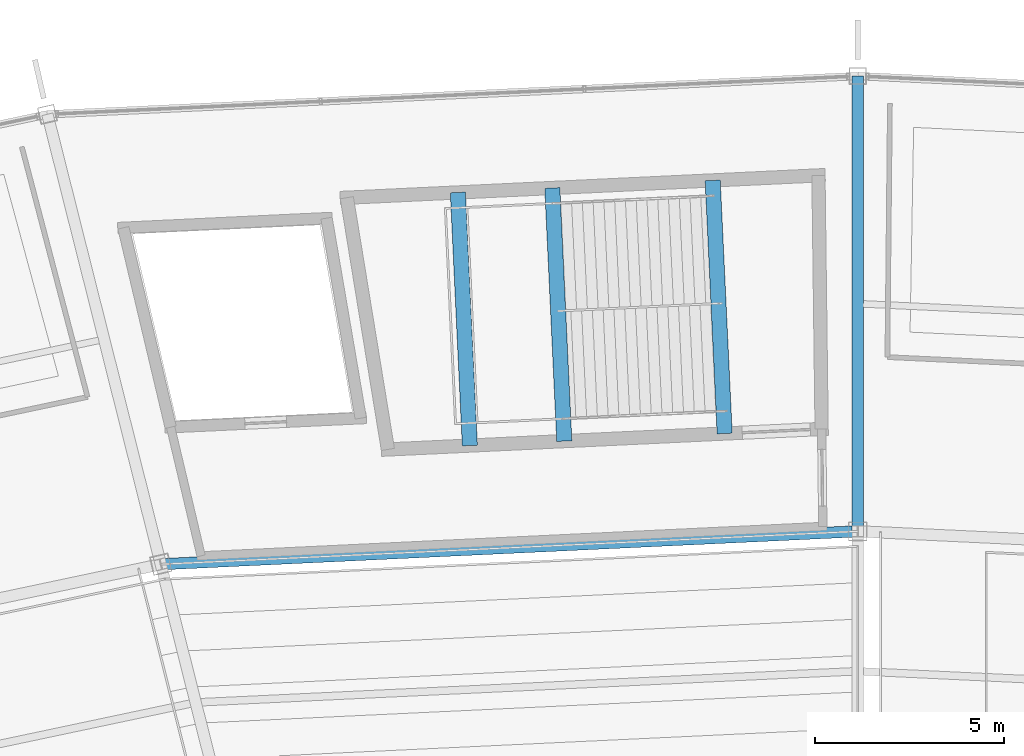
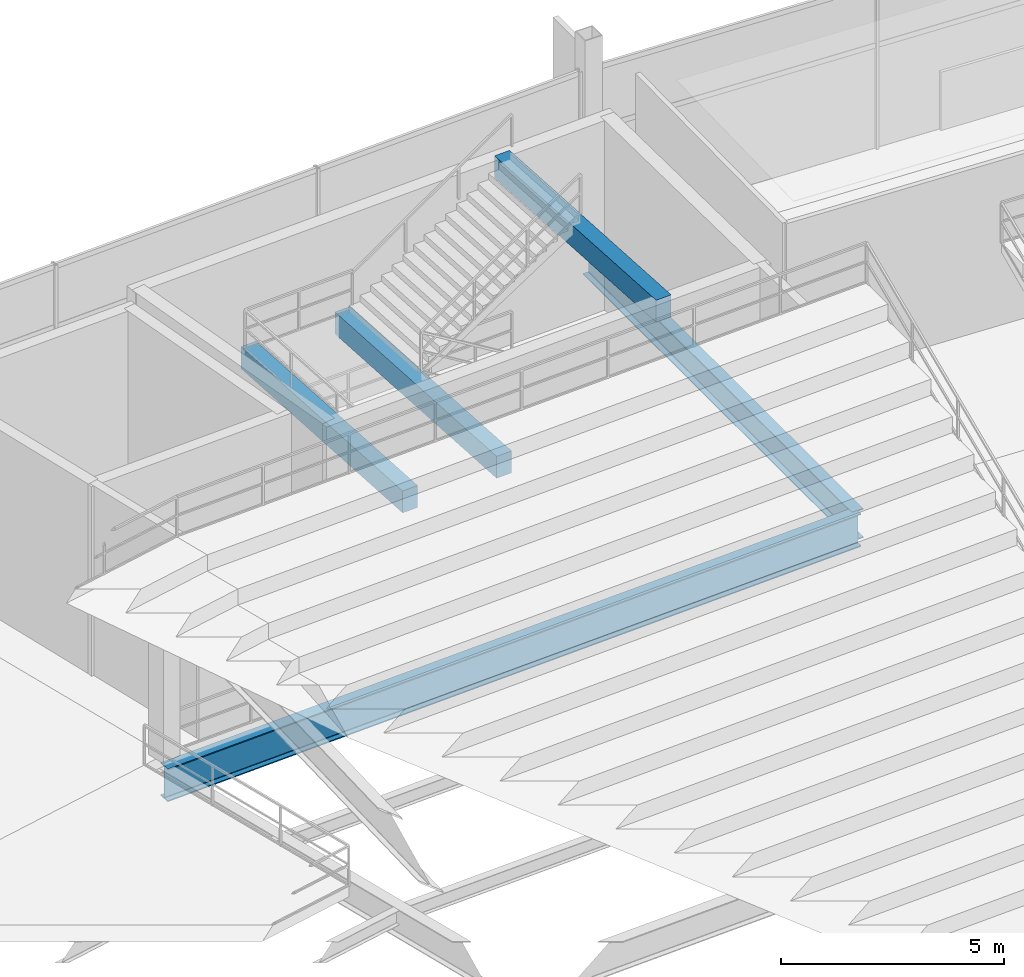
# One storey, part 97 of 186: 5 beams.
"""IFC4 building model written with IfcOpenShell, lengths in metres."""

from ifc_helpers import new_model, si_unit, direction, frame, origin, origin_2d, place, context, subcontext, project, spatial, rectangle, i_section, extrude, material, material_profile, profile_set, type_object, element, save


model = new_model("IFC4")

# Units and contexts
model_context = context("Model", 3, precision=1e-05, world=origin(), true_north=direction((0.0, 1.0)))
body_context = subcontext(model_context, "Body", "Model", "MODEL_VIEW")
ifc_project = project(units=[si_unit("LENGTHUNIT", "METRE"), si_unit("AREAUNIT", "SQUARE_METRE"), si_unit("VOLUMEUNIT", "CUBIC_METRE"), si_unit("PLANEANGLEUNIT", "RADIAN"), si_unit("MASSUNIT", "GRAM", prefix="KILO")], contexts=[model_context])

# Site, building, storey
site_placement = place(None, origin())
site = spatial("IfcSite", under=ifc_project, at=site_placement, CompositionType="ELEMENT")
building_placement = place(site_placement, origin())
building = spatial("IfcBuilding", under=site, at=building_placement, Name="Kazemori Nagisa Stadium", CompositionType="ELEMENT")
storey_placement = place(building_placement, frame((0.0, 0.0, 20.39990234375)))
storey = spatial("IfcBuildingStorey", under=building, at=storey_placement, Name="L04", CompositionType="ELEMENT", Elevation=20.39990234375)

# Beams
ifc_material_1 = material(Name="Steel SN490B", Category="steel")
ifc_material_profile_1 = material_profile(ifc_material_1, i_section(OverallWidth=0.300048828125, OverallDepth=0.800048828125, WebThickness=0.013916015625, FlangeThickness=0.02587890625, FilletRadius=0.01806640625, at=origin_2d()), Name="H-800x300x14x26")
ifc_profile_set_1 = profile_set([ifc_material_profile_1], Name="Steel SN490B")
beam_type_1 = type_object("IfcBeamType", Name="Beam_BG-H800", PredefinedType="BEAM", material=ifc_profile_set_1)
beam_1_placement = place(storey_placement, frame((123.0, 175.9599609375, -0.699951171875), z_axis=(0.0, 1.0, 0.0), x_axis=(-1.0, 0.0, 0.0)))
element("IfcBeam", 1, at=beam_1_placement, inside=storey, type_object=beam_type_1, Name="Radial girder BG-H800 L04 R2-R3-08", PredefinedType="BEAM", context=body_context, shape_type="SweptSolid", body=[
    extrude(i_section(OverallWidth=0.300048828125, OverallDepth=0.800048828125, WebThickness=0.013916015625, FlangeThickness=0.02587890625, FilletRadius=0.01806640625, at=origin_2d()), origin(), (0.0, 0.0, 1.0), 12.0400390625),
])
ifc_material_profile_2 = material_profile(ifc_material_1, i_section(OverallWidth=0.300048828125, OverallDepth=0.89990234375, WebThickness=0.01611328125, FlangeThickness=0.028076171875, FilletRadius=0.01806640625, at=origin_2d()), Name="H-900x300x16x28")
ifc_profile_set_2 = profile_set([ifc_material_profile_2], Name="Steel SN490B")
beam_type_2 = type_object("IfcBeamType", Name="Beam_BG-H900", PredefinedType="BEAM", material=ifc_profile_set_2)
beam_2_placement = place(storey_placement, frame((123.0, 175.9599609375, -0.75), z_axis=(-0.9988839804, -0.047231278829, 0.0), x_axis=(0.047231278829, -0.9988839804, 0.0)))
element("IfcBeam", 2, at=beam_2_placement, inside=storey, type_object=beam_type_2, Name="Ring girder BG-H900 L04 R2-08", PredefinedType="BEAM", context=body_context, shape_type="SweptSolid", body=[
    extrude(i_section(OverallWidth=0.300048828125, OverallDepth=0.89990234375, WebThickness=0.01611328125, FlangeThickness=0.028076171875, FilletRadius=0.01806640625, at=origin_2d()), origin(), (0.0, 0.0, 1.0), 18.4482421875),
])
ifc_material_2 = material(Name="Concrete C40/50 (Fc42)", Category="concrete")
ifc_material_profile_3 = material_profile(ifc_material_2, rectangle(XDim=0.39990234375, YDim=0.60009765625, at=origin_2d()), Name="RC-BM-400x600")
ifc_profile_set_3 = profile_set([ifc_material_profile_3], Name="Concrete C40/50 (Fc42)")
beam_type_3 = type_object("IfcBeamType", Name="Beam_BG-LND400X600", PredefinedType="BEAM", material=ifc_profile_set_3)
beam_3_placement = place(storey_placement, frame((115.240234375, 178.34521484375, 2.22021484375), z_axis=(-0.047258730523, 0.998882681995, 0.0), x_axis=(-0.998882681995, -0.047258730523, 0.0)))
element("IfcBeam", 3, at=beam_3_placement, inside=storey, type_object=beam_type_3, Name="Core stair mid-landing girder ST05-L04-1", PredefinedType="BEAM", context=body_context, shape_type="SweptSolid", body=[
    extrude(rectangle(XDim=0.39990234375, YDim=0.60009765625, at=origin_2d()), origin(), (0.0, 0.0, 1.0), 6.700439453125),
])
beam_4_placement = place(storey_placement, frame((112.742919921875, 178.22705078125, 2.22021484375), z_axis=(-0.047220656191, 0.998884482625, 0.0), x_axis=(-0.998884482625, -0.047220656191, 0.0)))
element("IfcBeam", 4, at=beam_4_placement, inside=storey, type_object=beam_type_3, Name="Core stair mid-landing girder ST05-L04-2", PredefinedType="BEAM", context=body_context, shape_type="SweptSolid", body=[
    extrude(rectangle(XDim=0.39990234375, YDim=0.60009765625, at=origin_2d()), origin(), (0.0, 0.0, 1.0), 6.70068359375),
])
beam_5_placement = place(storey_placement, frame((119.48046875, 178.545654296875, 4.880126953125), z_axis=(-0.047222374852, 0.998884401377, 0.0), x_axis=(-0.998884401377, -0.047222374852, 0.0)))
element("IfcBeam", 5, at=beam_5_placement, inside=storey, type_object=beam_type_3, Name="Core stair arrival header girder ST05-L04", PredefinedType="BEAM", context=body_context, shape_type="SweptSolid", body=[
    extrude(rectangle(XDim=0.39990234375, YDim=0.60009765625, at=origin_2d()), origin(), (0.0, 0.0, 1.0), 6.700439453125),
])

save(model, "model.ifc")
